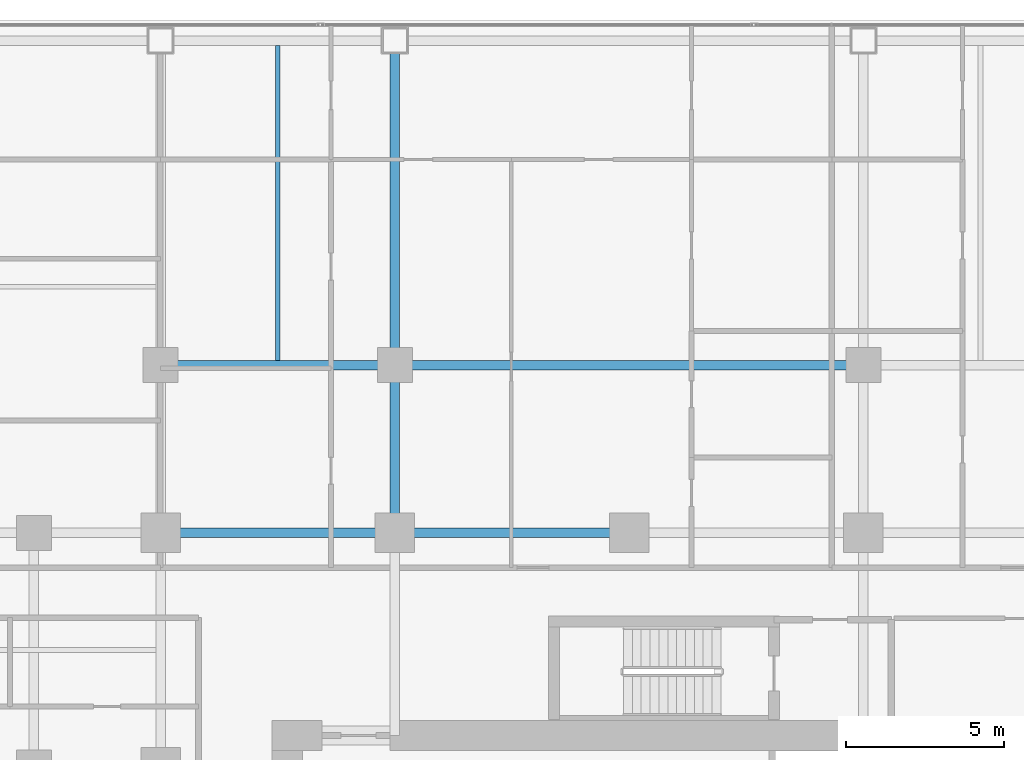
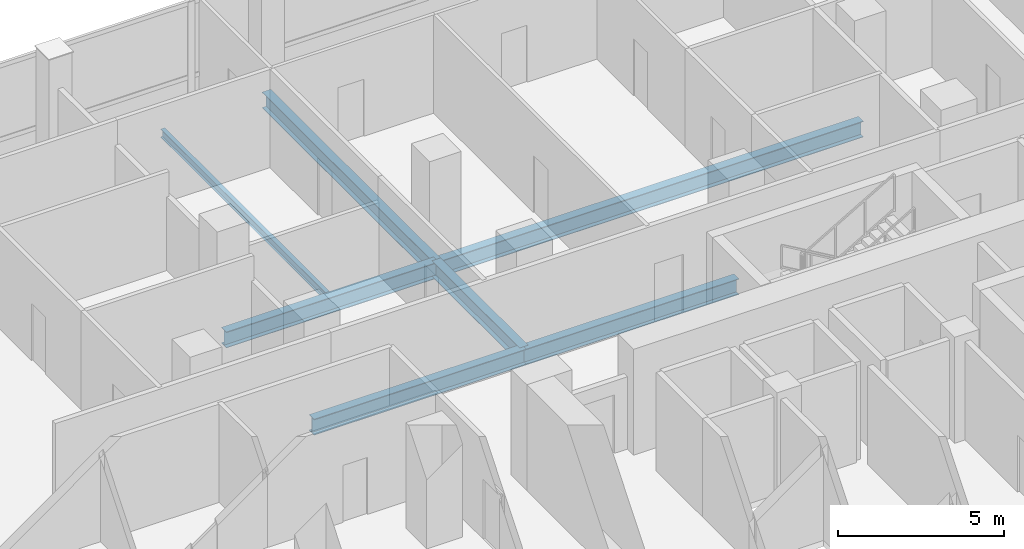
# One storey, part 14 of 28: 7 beams.
"""IFC4 building model written with IfcOpenShell, lengths in metres."""

from ifc_helpers import new_model, si_unit, direction, frame, origin, origin_2d, place, context, subcontext, project, spatial, i_section, extrude, material, material_profile, profile_set, type_object, element, save


model = new_model("IFC4")

# Units and contexts
model_context = context("Model", 3, precision=1e-05, world=origin(), true_north=direction((0.0, 1.0)))
body_context = subcontext(model_context, "Body", "Model", "MODEL_VIEW")
ifc_project = project(units=[si_unit("LENGTHUNIT", "METRE"), si_unit("AREAUNIT", "SQUARE_METRE"), si_unit("VOLUMEUNIT", "CUBIC_METRE"), si_unit("PLANEANGLEUNIT", "RADIAN"), si_unit("MASSUNIT", "GRAM", prefix="KILO")], contexts=[model_context])

# Site, building, storey
site_placement = place(None, origin())
site = spatial("IfcSite", under=ifc_project, at=site_placement, CompositionType="ELEMENT")
building_placement = place(site_placement, origin())
building = spatial("IfcBuilding", under=site, at=building_placement, Name="Khorvyn Point Tower", CompositionType="ELEMENT")
storey_placement = place(building_placement, frame((0.0, 0.0, 104.699951171875)))
storey = spatial("IfcBuildingStorey", under=building, at=storey_placement, Name="L26", CompositionType="ELEMENT", Elevation=104.699951171875)

# Beams
ifc_material = material(Name="Steel S355", Category="steel")
ifc_material_profile_1 = material_profile(ifc_material, i_section(OverallWidth=0.300048828125, OverallDepth=0.587890625, WebThickness=0.011962890625, FlangeThickness=0.02001953125, at=origin_2d()))
ifc_profile_set_1 = profile_set([ifc_material_profile_1], Name="Steel S355 H588x300x12x20")
beam_type_1 = type_object("IfcBeamType", Name="Steel S355 Beam H588x300x12x20", PredefinedType="BEAM", material=ifc_profile_set_1)
beam_1_placement = place(storey_placement, frame((-14.800048828125, 14.800048828125, -0.513916015625), z_axis=(1.0, 0.0, 0.0), x_axis=(0.0, 1.0, 0.0)))
element("IfcBeam", 1, at=beam_1_placement, inside=storey, type_object=beam_type_1, Name="Beam", PredefinedType="BEAM", context=body_context, shape_type="SweptSolid", body=[
    extrude(i_section(OverallWidth=0.300048828125, OverallDepth=0.587890625, WebThickness=0.011962890625, FlangeThickness=0.02001953125, at=origin_2d()), origin(), (0.0, 0.0, 1.0), 7.400146484375),
])
beam_2_placement = place(storey_placement, frame((-7.39990234375, 14.800048828125, -0.513916015625), z_axis=(1.0, 0.0, 0.0), x_axis=(0.0, 1.0, 0.0)))
element("IfcBeam", 2, at=beam_2_placement, inside=storey, type_object=beam_type_1, Name="Beam", PredefinedType="BEAM", context=body_context, shape_type="SweptSolid", body=[
    extrude(i_section(OverallWidth=0.300048828125, OverallDepth=0.587890625, WebThickness=0.011962890625, FlangeThickness=0.02001953125, at=origin_2d()), origin(), (0.0, 0.0, 1.0), 7.39990234375),
])
beam_3_placement = place(storey_placement, frame((-14.800048828125, 20.10009765625, -0.513916015625), z_axis=(1.0, 0.0, 0.0), x_axis=(0.0, 1.0, 0.0)))
element("IfcBeam", 3, at=beam_3_placement, inside=storey, type_object=beam_type_1, Name="Beam", PredefinedType="BEAM", context=body_context, shape_type="SweptSolid", body=[
    extrude(i_section(OverallWidth=0.300048828125, OverallDepth=0.587890625, WebThickness=0.011962890625, FlangeThickness=0.02001953125, at=origin_2d()), origin(), (0.0, 0.0, 1.0), 7.400146484375),
])
beam_4_placement = place(storey_placement, frame((-7.39990234375, 20.10009765625, -0.513916015625), z_axis=(1.0, 0.0, 0.0), x_axis=(0.0, 1.0, 0.0)))
element("IfcBeam", 4, at=beam_4_placement, inside=storey, type_object=beam_type_1, Name="Beam", PredefinedType="BEAM", context=body_context, shape_type="SweptSolid", body=[
    extrude(i_section(OverallWidth=0.300048828125, OverallDepth=0.587890625, WebThickness=0.011962890625, FlangeThickness=0.02001953125, at=origin_2d()), origin(), (0.0, 0.0, 1.0), 14.7998046875),
])
beam_5_placement = place(storey_placement, frame((-7.39990234375, 14.800048828125, -0.513916015625), z_axis=(0.0, 1.0, 0.0), x_axis=(-1.0, 0.0, 0.0)))
element("IfcBeam", 5, at=beam_5_placement, inside=storey, type_object=beam_type_1, Name="Beam", PredefinedType="BEAM", context=body_context, shape_type="SweptSolid", body=[
    extrude(i_section(OverallWidth=0.300048828125, OverallDepth=0.587890625, WebThickness=0.011962890625, FlangeThickness=0.02001953125, at=origin_2d()), origin(), (0.0, 0.0, 1.0), 5.300048828125),
])
beam_6_placement = place(storey_placement, frame((-7.39990234375, 20.10009765625, -0.513916015625), z_axis=(0.0, 1.0, 0.0), x_axis=(-1.0, 0.0, 0.0)))
element("IfcBeam", 6, at=beam_6_placement, inside=storey, type_object=beam_type_1, Name="Beam", PredefinedType="BEAM", context=body_context, shape_type="SweptSolid", body=[
    extrude(i_section(OverallWidth=0.300048828125, OverallDepth=0.587890625, WebThickness=0.011962890625, FlangeThickness=0.02001953125, at=origin_2d()), origin(), (0.0, 0.0, 1.0), 10.25),
])
ifc_material_profile_2 = material_profile(ifc_material, i_section(OverallWidth=0.14990234375, OverallDepth=0.300048828125, WebThickness=0.006591796875, FlangeThickness=0.009033203125, at=origin_2d()))
ifc_profile_set_2 = profile_set([ifc_material_profile_2], Name="Steel S355 H300x150x6.5x9")
beam_type_2 = type_object("IfcBeamType", Name="Steel S355 Joist H300x150x6.5x9", PredefinedType="JOIST", material=ifc_profile_set_2)
beam_7_placement = place(storey_placement, frame((-11.10009765625, 20.25, -0.369873046875), z_axis=(0.0, 1.0, 0.0), x_axis=(-1.0, 0.0, 0.0)))
element("IfcBeam", 7, at=beam_7_placement, inside=storey, type_object=beam_type_2, Name="Beam", PredefinedType="JOIST", context=body_context, shape_type="SweptSolid", body=[
    extrude(i_section(OverallWidth=0.14990234375, OverallDepth=0.300048828125, WebThickness=0.006591796875, FlangeThickness=0.009033203125, at=origin_2d()), origin(), (0.0, 0.0, 1.0), 9.949951171875),
])

save(model, "model.ifc")
